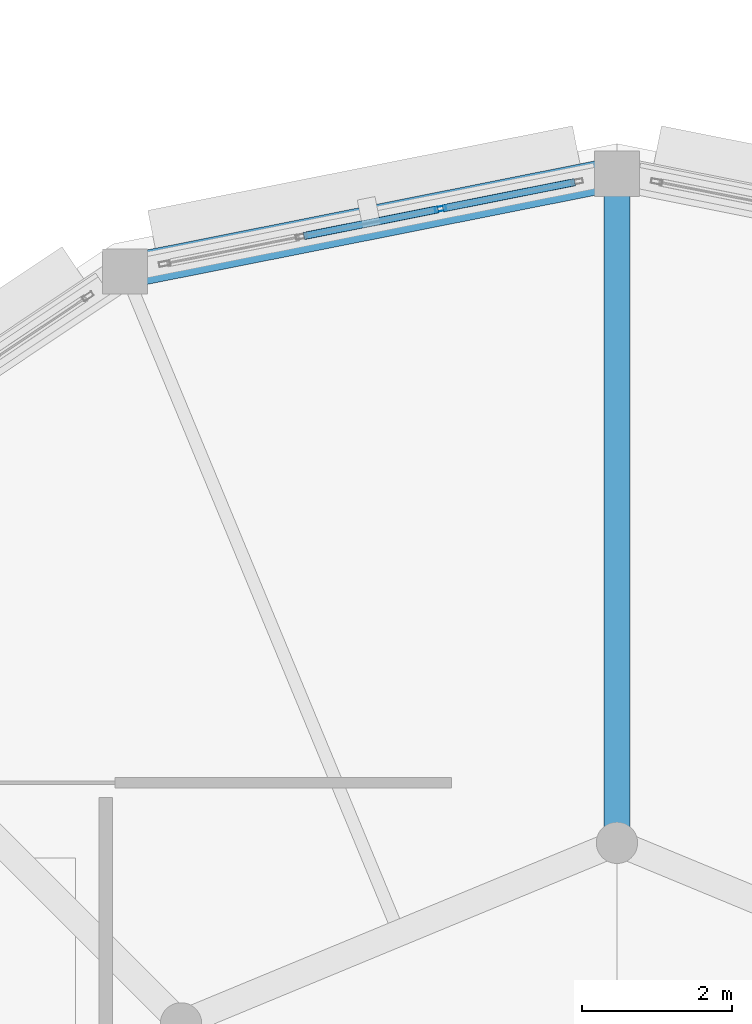
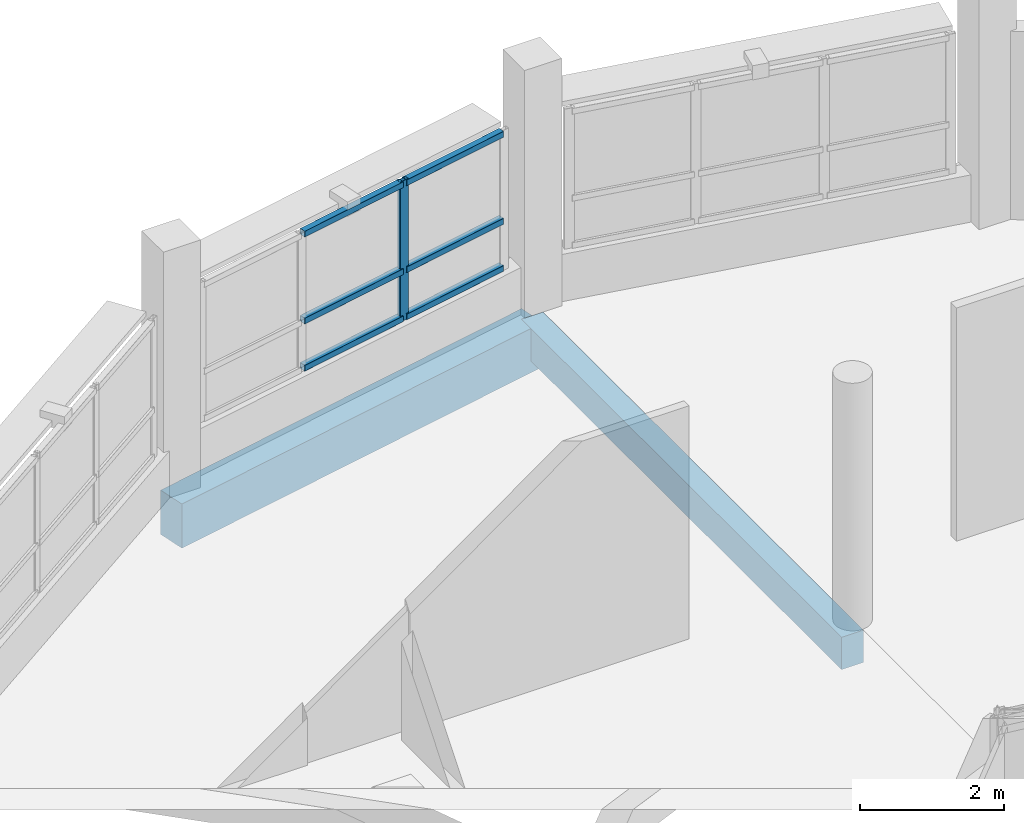
# One storey, part 88 of 128: 7 members, 2 beams, 1 element without a shape of its own.
"""IFC4 building model written with IfcOpenShell, lengths in metres."""

from ifc_helpers import new_model, si_unit, direction, frame, origin, origin_2d, place, context, subcontext, project, spatial, rectangle, hollow_rectangle, extrude, material, layer, layer_set, material_profile, profile_set, type_object, element, aggregate, save


model = new_model("IFC4")

# Units and contexts
model_context = context("Model", 3, precision=1e-05, world=origin(), true_north=direction((0.0, 1.0)))
body_context = subcontext(model_context, "Body", "Model", "MODEL_VIEW")
ifc_project = project(units=[si_unit("LENGTHUNIT", "METRE"), si_unit("AREAUNIT", "SQUARE_METRE"), si_unit("VOLUMEUNIT", "CUBIC_METRE"), si_unit("PLANEANGLEUNIT", "RADIAN"), si_unit("MASSUNIT", "GRAM", prefix="KILO")], contexts=[model_context])

# Site, building, storey
site_placement = place(None, origin())
site = spatial("IfcSite", under=ifc_project, at=site_placement, CompositionType="ELEMENT")
building_placement = place(site_placement, origin())
building = spatial("IfcBuilding", under=site, at=building_placement, Name="Vespera Passage Community Centre", CompositionType="ELEMENT")
storey_placement = place(building_placement, frame((0.0, 0.0, 4.5)))
storey = spatial("IfcBuildingStorey", under=building, at=storey_placement, Name="L01", CompositionType="ELEMENT", Elevation=4.5)

# Beams
ifc_material_1 = material(Name="Concrete f'c 35 MPa", Category="concrete")
ifc_material_profile_1 = material_profile(ifc_material_1, rectangle(XDim=0.35009765625, YDim=0.550048828125, at=origin_2d()), Name="RC350X550")
ifc_profile_set_1 = profile_set([ifc_material_profile_1], Name="Concrete f'c 35 MPa")
beam_type_1 = type_object("IfcBeamType", Name="BM-J-350X550", PredefinedType="JOIST", material=ifc_profile_set_1)
beam_1_placement = place(storey_placement, frame((141.0, 33.199951171875, -0.514892578125), z_axis=(0.0, 1.0, 0.0), x_axis=(-1.0, 0.0, 0.0)))
element("IfcBeam", 1, at=beam_1_placement, inside=storey, type_object=beam_type_1, Name="V3 L01 Radial Girder 3", PredefinedType="JOIST", context=body_context, shape_type="SweptSolid", body=[
    extrude(rectangle(XDim=0.35009765625, YDim=0.550048828125, at=origin_2d()), origin(), (0.0, 0.0, 1.0), 8.900146484375),
])
ifc_material_2 = material(Name="Concrete f'c 35 MPa", Category="concrete")
ifc_material_profile_2 = material_profile(ifc_material_2, rectangle(XDim=0.449951171875, YDim=0.75, at=origin_2d()), Name="RC450X750")
ifc_profile_set_2 = profile_set([ifc_material_profile_2], Name="Concrete f'c 35 MPa")
beam_type_2 = type_object("IfcBeamType", Name="BM-SP-450X750E", PredefinedType="SPANDREL", material=ifc_profile_set_2)
beam_2_placement = place(storey_placement, frame((141.0, 42.10009765625, -0.614990234375), z_axis=(-0.980782809509, -0.195102743632, 0.0), x_axis=(0.195102743632, -0.980782809509, 0.0)))
element("IfcBeam", 2, at=beam_2_placement, inside=storey, type_object=beam_type_2, Name="V3 L01 Spandrel 5", PredefinedType="SPANDREL", context=body_context, shape_type="SweptSolid", body=[
    extrude(rectangle(XDim=0.449951171875, YDim=0.75, at=origin_2d()), origin(), (0.0, 0.0, 1.0), 6.672119140625),
])

# Curtain wall, members
ifc_material_3 = material(Name="Anodized aluminium 6063-T6", Category="aluminium")
ifc_layer = layer(ifc_material_3, 0.159912109375)
ifc_layer_set = layer_set([ifc_layer], Name="Anodized aluminium 6063-T6")
curtain_wall_type = type_object("IfcCurtainWallType", Name="CW-105E", PredefinedType="NOTDEFINED", material=ifc_layer_set)
curtain_wall_placement = place(storey_placement, origin())
curtain_wall = element("IfcCurtainWall", 3, at=curtain_wall_placement, inside=storey, type_object=curtain_wall_type, Name="Dining Drum Ribbon Curtain Wall L01.5", PredefinedType="NOTDEFINED")
ifc_material_4 = material(Name="Anodized aluminium 6063-T6", Category="aluminium")
ifc_material_profile_3 = material_profile(ifc_material_4, hollow_rectangle(XDim=0.06494140625, YDim=0.14990234375, WallThickness=0.00390625, InnerFilletRadius=0.001953125, OuterFilletRadius=0.00390625, at=origin_2d()), Name="ALU150X65X4")
ifc_profile_set_3 = profile_set([ifc_material_profile_3], Name="Anodized aluminium 6063-T6")
member_type_1 = type_object("IfcMemberType", Name="MB-CWM-150E", PredefinedType="MULLION", material=ifc_profile_set_3)
member_1_placement = place(storey_placement, frame((138.6533203125, 41.63330078125, 0.800048828125), z_axis=(0.0, 0.0, 1.0), x_axis=(-0.195096778691, 0.980783996069, 0.0)))
member_1 = element("IfcMember", 4, at=member_1_placement, type_object=member_type_1, Name="CW-105E mullion 3", PredefinedType="MULLION", context=body_context, shape_type="SweptSolid", body=[
    extrude(hollow_rectangle(XDim=0.06494140625, YDim=0.14990234375, WallThickness=0.00390625, InnerFilletRadius=0.001953125, OuterFilletRadius=0.00390625, at=origin_2d()), origin(), (0.0, 0.0, 1.0), 2.375),
])
ifc_material_5 = material(Name="Anodized aluminium 6063-T6", Category="aluminium")
ifc_material_profile_4 = material_profile(ifc_material_5, hollow_rectangle(XDim=0.10009765625, YDim=0.10009765625, WallThickness=0.00390625, InnerFilletRadius=0.001953125, OuterFilletRadius=0.00390625, at=origin_2d()), Name="ALU100X100X4")
ifc_profile_set_4 = profile_set([ifc_material_profile_4], Name="Anodized aluminium 6063-T6")
member_type_2 = type_object("IfcMemberType", Name="MB-CWT-100E", PredefinedType="USERDEFINED", material=ifc_profile_set_4)
member_2_placement = place(storey_placement, frame((136.834716796875, 41.271484375, 0.85009765625), z_axis=(0.980776065507, 0.195136642714, 0.0), x_axis=(-0.195136642714, 0.980776065507, 0.0)))
member_2 = element("IfcMember", 5, at=member_2_placement, type_object=member_type_2, Name="CW-105E transom 2.1", ObjectType="TRANSOM", PredefinedType="USERDEFINED", context=body_context, shape_type="SweptSolid", body=[
    extrude(hollow_rectangle(XDim=0.10009765625, YDim=0.10009765625, WallThickness=0.00390625, InnerFilletRadius=0.001953125, OuterFilletRadius=0.00390625, at=origin_2d()), origin(), (0.0, 0.0, 1.0), 1.821533203125),
])
member_3_placement = place(storey_placement, frame((136.834716796875, 41.271484375, 1.64990234375), z_axis=(0.980776065507, 0.195136642714, 0.0), x_axis=(-0.195136642714, 0.980776065507, 0.0)))
member_3 = element("IfcMember", 6, at=member_3_placement, type_object=member_type_2, Name="CW-105E transom 2.2", ObjectType="TRANSOM", PredefinedType="USERDEFINED", context=body_context, shape_type="SweptSolid", body=[
    extrude(hollow_rectangle(XDim=0.10009765625, YDim=0.10009765625, WallThickness=0.00390625, InnerFilletRadius=0.001953125, OuterFilletRadius=0.00390625, at=origin_2d()), origin(), (0.0, 0.0, 1.0), 1.821533203125),
])
member_4_placement = place(storey_placement, frame((136.834716796875, 41.271484375, 3.125), z_axis=(0.980776065507, 0.195136642714, 0.0), x_axis=(-0.195136642714, 0.980776065507, 0.0)))
member_4 = element("IfcMember", 7, at=member_4_placement, type_object=member_type_2, Name="CW-105E transom 2.3", ObjectType="TRANSOM", PredefinedType="USERDEFINED", context=body_context, shape_type="SweptSolid", body=[
    extrude(hollow_rectangle(XDim=0.10009765625, YDim=0.10009765625, WallThickness=0.00390625, InnerFilletRadius=0.001953125, OuterFilletRadius=0.00390625, at=origin_2d()), origin(), (0.0, 0.0, 1.0), 1.821533203125),
])
member_5_placement = place(storey_placement, frame((138.68505859375, 41.6396484375, 0.85009765625), z_axis=(0.980805694528, 0.194987665203, 0.0), x_axis=(-0.194987665203, 0.980805694528, 0.0)))
member_5 = element("IfcMember", 8, at=member_5_placement, type_object=member_type_2, Name="CW-105E transom 3.1", ObjectType="TRANSOM", PredefinedType="USERDEFINED", context=body_context, shape_type="SweptSolid", body=[
    extrude(hollow_rectangle(XDim=0.10009765625, YDim=0.10009765625, WallThickness=0.00390625, InnerFilletRadius=0.001953125, OuterFilletRadius=0.00390625, at=origin_2d()), origin(), (0.0, 0.0, 1.0), 1.789306640625),
])
member_6_placement = place(storey_placement, frame((138.68505859375, 41.6396484375, 1.64990234375), z_axis=(0.980805694528, 0.194987665203, 0.0), x_axis=(-0.194987665203, 0.980805694528, 0.0)))
member_6 = element("IfcMember", 9, at=member_6_placement, type_object=member_type_2, Name="CW-105E transom 3.2", ObjectType="TRANSOM", PredefinedType="USERDEFINED", context=body_context, shape_type="SweptSolid", body=[
    extrude(hollow_rectangle(XDim=0.10009765625, YDim=0.10009765625, WallThickness=0.00390625, InnerFilletRadius=0.001953125, OuterFilletRadius=0.00390625, at=origin_2d()), origin(), (0.0, 0.0, 1.0), 1.789306640625),
])
member_7_placement = place(storey_placement, frame((138.68505859375, 41.6396484375, 3.125), z_axis=(0.980805694528, 0.194987665203, 0.0), x_axis=(-0.194987665203, 0.980805694528, 0.0)))
member_7 = element("IfcMember", 10, at=member_7_placement, type_object=member_type_2, Name="CW-105E transom 3.3", ObjectType="TRANSOM", PredefinedType="USERDEFINED", context=body_context, shape_type="SweptSolid", body=[
    extrude(hollow_rectangle(XDim=0.10009765625, YDim=0.10009765625, WallThickness=0.00390625, InnerFilletRadius=0.001953125, OuterFilletRadius=0.00390625, at=origin_2d()), origin(), (0.0, 0.0, 1.0), 1.789306640625),
])
aggregate(curtain_wall, [member_1, member_2, member_3, member_4, member_5, member_6, member_7])

save(model, "model.ifc")
